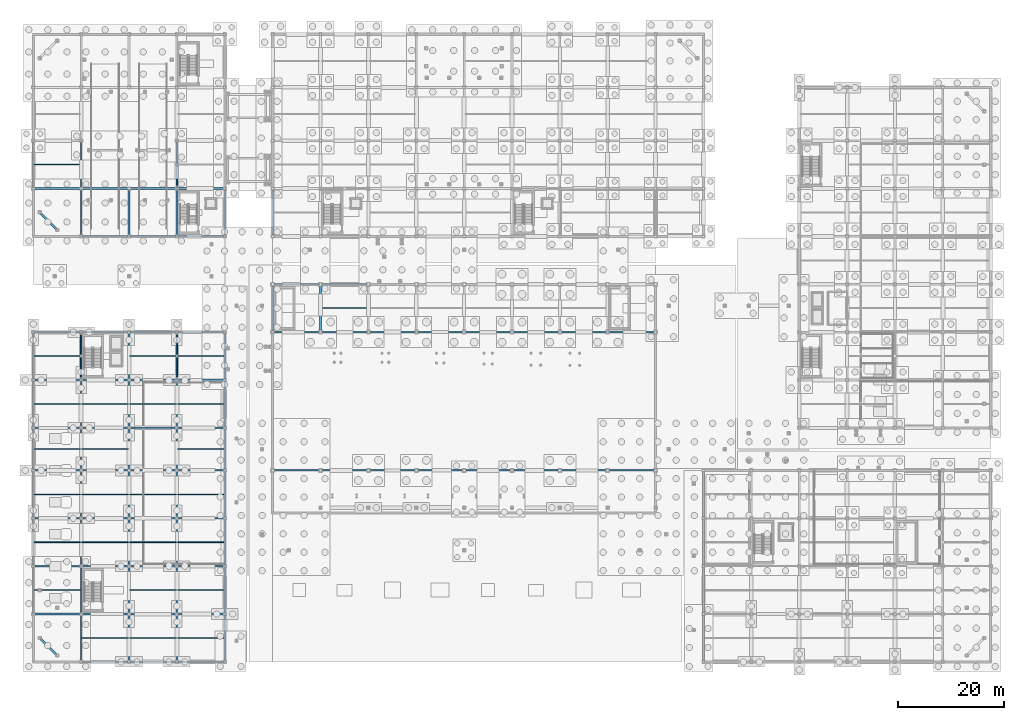
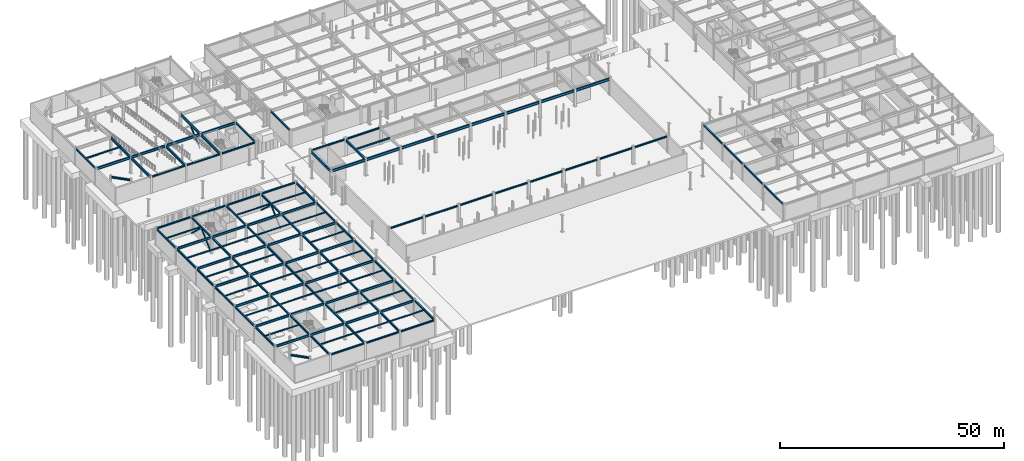
# One storey, part 40 of 74: 132 beams, 5 members.
"""IFC4 building model written with IfcOpenShell, lengths in metres."""

from ifc_helpers import new_model, si_unit, direction, frame, origin, origin_2d, place, context, subcontext, project, spatial, hollow_circle, i_section, extrude, material, material_profile, profile_set, type_object, element, save


model = new_model("IFC4")

# Units and contexts
model_context = context("Model", 3, precision=1e-05, world=origin(), true_north=direction((0.0, 1.0)))
body_context = subcontext(model_context, "Body", "Model", "MODEL_VIEW")
ifc_project = project(units=[si_unit("LENGTHUNIT", "METRE"), si_unit("AREAUNIT", "SQUARE_METRE"), si_unit("VOLUMEUNIT", "CUBIC_METRE"), si_unit("PLANEANGLEUNIT", "RADIAN"), si_unit("MASSUNIT", "GRAM", prefix="KILO")], contexts=[model_context])

# Site, building, storey
site_placement = place(None, origin())
site = spatial("IfcSite", under=ifc_project, at=site_placement, CompositionType="ELEMENT")
building_placement = place(site_placement, origin())
building = spatial("IfcBuilding", under=site, at=building_placement, Name="Suzunagisa Mobility Hub", CompositionType="ELEMENT")
storey_placement = place(building_placement, frame((0.0, 0.0, -4.800048828125)))
storey = spatial("IfcBuildingStorey", under=building, at=storey_placement, Name="B1", CompositionType="ELEMENT", Elevation=-4.800048828125)

# Members
ifc_material_1 = material(Name="Steel SN490B", Category="steel")
ifc_material_profile_1 = material_profile(ifc_material_1, hollow_circle(Radius=0.177734375, WallThickness=0.0126953125, at=origin_2d()), Name="CHS-355.6x12.7")
ifc_profile_set_1 = profile_set([ifc_material_profile_1], Name="Steel SN490B")
member_type = type_object("IfcMemberType", Name="Roof Truss and Brace Member MB-03 CHS-355.6x12.7", PredefinedType="BRACE", material=ifc_profile_set_1)
for number, where, z_axis, x_axis, name in (
    (1, (9.0, 53.2451171875, 0.1201171875), (0.0, 0.735631448084, 0.677381999016), (-1.0, 0.0, 0.0), "B1 Concentric Lateral Brace BR-1"),
    (2, (9.0, 61.7548828125, 0.1201171875), (0.0, -0.735631448084, 0.677381999016), (1.0, 0.0, 0.0), "B1 Concentric Lateral Brace BR-2"),
    (3, (27.0, 53.2451171875, 0.1201171875), (0.0, 0.735631448084, 0.677381999016), (-1.0, 0.0, 0.0), "B1 Concentric Lateral Brace BR-9"),
    (4, (27.0, 61.7548828125, 0.1201171875), (0.0, -0.735631448084, 0.677381999016), (1.0, 0.0, 0.0), "B1 Concentric Lateral Brace BR-10"),
):
    element("IfcMember", number, at=place(storey_placement, frame(where, z_axis=z_axis, x_axis=x_axis)), inside=storey, type_object=member_type, Name=name, PredefinedType="BRACE", context=body_context, shape_type="SweptSolid", body=[
        extrude(hollow_circle(Radius=0.177734375, WallThickness=0.0126953125, at=origin_2d()), origin(), (0.0, 0.0, 1.0), 5.783935546875),
    ])
member_placement = place(storey_placement, frame((27.0, 89.2451171875, 0.1201171875), z_axis=(0.0, 0.755823574775, 0.654775323156), x_axis=(-1.0, 0.0, 0.0)))
element("IfcMember", 5, at=member_placement, inside=storey, type_object=member_type, Name="B1 Concentric Lateral Brace BR-17", PredefinedType="BRACE", context=body_context, shape_type="SweptSolid", body=[
    extrude(hollow_circle(Radius=0.177734375, WallThickness=0.0126953125, at=origin_2d()), origin(), (0.0, 0.0, 1.0), 5.62939453125),
])

# Beams
ifc_material_2 = material(Name="Steel SN400B", Category="steel")
ifc_material_profile_2 = material_profile(ifc_material_2, i_section(OverallWidth=0.199951171875, OverallDepth=0.449951171875, WebThickness=0.009033203125, FlangeThickness=0.013916015625, FilletRadius=0.012939453125, at=origin_2d()), Name="H-450x200x9x14")
ifc_profile_set_2 = profile_set([ifc_material_profile_2], Name="Steel SN400B")
beam_type_1 = type_object("IfcBeamType", Name="Steel Beam BM-05 H-450x200x9x14", PredefinedType="JOIST", material=ifc_profile_set_2)
beam_1_placement = place(storey_placement, frame((54.14990234375, 66.5, 4.295166015625), z_axis=(1.0, 0.0, 0.0), x_axis=(0.0, 1.0, 0.0)))
element("IfcBeam", 6, at=beam_1_placement, inside=storey, type_object=beam_type_1, Name="B1 Composite Floor Joist J-382", PredefinedType="JOIST", context=body_context, shape_type="SweptSolid", body=[
    extrude(i_section(OverallWidth=0.199951171875, OverallDepth=0.449951171875, WebThickness=0.009033203125, FlangeThickness=0.013916015625, FilletRadius=0.012939453125, at=origin_2d()), origin(), (0.0, 0.0, 1.0), 8.7001953125),
])
ifc_material_profile_3 = material_profile(ifc_material_1, i_section(OverallWidth=0.300048828125, OverallDepth=0.488037109375, WebThickness=0.010986328125, FlangeThickness=0.01806640625, FilletRadius=0.012939453125, at=origin_2d()), Name="H-488x300x11x18")
ifc_profile_set_3 = profile_set([ifc_material_profile_3], Name="Steel SN490B")
beam_type_2 = type_object("IfcBeamType", Name="Steel Beam BM-06 H-488x300x11x18", PredefinedType="BEAM", material=ifc_profile_set_3)
for number, where, z_axis, x_axis, name in (
    (7, (0.0, 9.220947265625, 4.296142578125), (0.0, 1.0, 0.0), (-1.0, 0.0, 0.0), "B1 Primary Girder GY-32"),
    (8, (0.0, 18.220947265625, 4.296142578125), (0.0, 1.0, 0.0), (-1.0, 0.0, 0.0), "B1 Primary Girder GY-33"),
    (9, (0.0, 27.220947265625, 4.296142578125), (0.0, 1.0, 0.0), (-1.0, 0.0, 0.0), "B1 Primary Girder GY-34"),
):
    element("IfcBeam", number, at=place(storey_placement, frame(where, z_axis=z_axis, x_axis=x_axis)), inside=storey, type_object=beam_type_2, Name=name, PredefinedType="BEAM", context=body_context, shape_type="SweptSolid", body=[
        extrude(i_section(OverallWidth=0.300048828125, OverallDepth=0.488037109375, WebThickness=0.010986328125, FlangeThickness=0.01806640625, FilletRadius=0.012939453125, at=origin_2d()), origin(), (0.0, 0.0, 1.0), 8.55810546875),
    ])
beam_2_placement = place(storey_placement, frame((0.0, 36.220947265625, 4.296142578125), z_axis=(0.0, 1.0, 0.0), x_axis=(-1.0, 0.0, 0.0)))
element("IfcBeam", 10, at=beam_2_placement, inside=storey, type_object=beam_type_2, Name="B1 Primary Girder GY-35", PredefinedType="BEAM", context=body_context, shape_type="SweptSolid", body=[
    extrude(i_section(OverallWidth=0.300048828125, OverallDepth=0.488037109375, WebThickness=0.010986328125, FlangeThickness=0.01806640625, FilletRadius=0.012939453125, at=origin_2d()), origin(), (0.0, 0.0, 1.0), 7.55810546875),
])
for number, where, z_axis, x_axis, name in (
    (11, (0.0, 44.220947265625, 4.296142578125), (0.0, 1.0, 0.0), (-1.0, 0.0, 0.0), "B1 Primary Girder GY-36"),
    (12, (0.0, 53.220947265625, 4.296142578125), (0.0, 1.0, 0.0), (-1.0, 0.0, 0.0), "B1 Primary Girder GY-37"),
    (13, (9.0, 0.220947265625, 4.296142578125), (0.0, 1.0, 0.0), (-1.0, 0.0, 0.0), "B1 Primary Girder GY-38"),
    (14, (9.0, 9.220947265625, 4.296142578125), (0.0, 1.0, 0.0), (-1.0, 0.0, 0.0), "B1 Primary Girder GY-39"),
    (15, (9.0, 18.220947265625, 4.296142578125), (0.0, 1.0, 0.0), (-1.0, 0.0, 0.0), "B1 Primary Girder GY-40"),
    (16, (9.0, 27.220947265625, 4.296142578125), (0.0, 1.0, 0.0), (-1.0, 0.0, 0.0), "B1 Primary Girder GY-41"),
):
    element("IfcBeam", number, at=place(storey_placement, frame(where, z_axis=z_axis, x_axis=x_axis)), inside=storey, type_object=beam_type_2, Name=name, PredefinedType="BEAM", context=body_context, shape_type="SweptSolid", body=[
        extrude(i_section(OverallWidth=0.300048828125, OverallDepth=0.488037109375, WebThickness=0.010986328125, FlangeThickness=0.01806640625, FilletRadius=0.012939453125, at=origin_2d()), origin(), (0.0, 0.0, 1.0), 8.55810546875),
    ])
beam_3_placement = place(storey_placement, frame((9.0, 36.220947265625, 4.296142578125), z_axis=(0.0, 1.0, 0.0), x_axis=(-1.0, 0.0, 0.0)))
element("IfcBeam", 17, at=beam_3_placement, inside=storey, type_object=beam_type_2, Name="B1 Primary Girder GY-42", PredefinedType="BEAM", context=body_context, shape_type="SweptSolid", body=[
    extrude(i_section(OverallWidth=0.300048828125, OverallDepth=0.488037109375, WebThickness=0.010986328125, FlangeThickness=0.01806640625, FilletRadius=0.012939453125, at=origin_2d()), origin(), (0.0, 0.0, 1.0), 7.55810546875),
])
for number, where, z_axis, x_axis, name in (
    (18, (9.0, 44.220947265625, 4.296142578125), (0.0, 1.0, 0.0), (-1.0, 0.0, 0.0), "B1 Primary Girder GY-43"),
    (19, (9.0, 53.220947265625, 4.296142578125), (0.0, 1.0, 0.0), (-1.0, 0.0, 0.0), "B1 Primary Girder GY-44"),
    (20, (18.0, 0.220947265625, 4.296142578125), (0.0, 1.0, 0.0), (-1.0, 0.0, 0.0), "B1 Primary Girder GY-45"),
    (21, (18.0, 9.220947265625, 4.296142578125), (0.0, 1.0, 0.0), (-1.0, 0.0, 0.0), "B1 Primary Girder GY-46"),
    (22, (18.0, 18.220947265625, 4.296142578125), (0.0, 1.0, 0.0), (-1.0, 0.0, 0.0), "B1 Primary Girder GY-47"),
    (23, (18.0, 27.220947265625, 4.296142578125), (0.0, 1.0, 0.0), (-1.0, 0.0, 0.0), "B1 Primary Girder GY-48"),
):
    element("IfcBeam", number, at=place(storey_placement, frame(where, z_axis=z_axis, x_axis=x_axis)), inside=storey, type_object=beam_type_2, Name=name, PredefinedType="BEAM", context=body_context, shape_type="SweptSolid", body=[
        extrude(i_section(OverallWidth=0.300048828125, OverallDepth=0.488037109375, WebThickness=0.010986328125, FlangeThickness=0.01806640625, FilletRadius=0.012939453125, at=origin_2d()), origin(), (0.0, 0.0, 1.0), 8.55810546875),
    ])
beam_4_placement = place(storey_placement, frame((18.0, 36.220947265625, 4.296142578125), z_axis=(0.0, 1.0, 0.0), x_axis=(-1.0, 0.0, 0.0)))
element("IfcBeam", 24, at=beam_4_placement, inside=storey, type_object=beam_type_2, Name="B1 Primary Girder GY-49", PredefinedType="BEAM", context=body_context, shape_type="SweptSolid", body=[
    extrude(i_section(OverallWidth=0.300048828125, OverallDepth=0.488037109375, WebThickness=0.010986328125, FlangeThickness=0.01806640625, FilletRadius=0.012939453125, at=origin_2d()), origin(), (0.0, 0.0, 1.0), 7.55810546875),
])
for number, where, z_axis, x_axis, name in (
    (25, (18.0, 44.220947265625, 4.296142578125), (0.0, 1.0, 0.0), (-1.0, 0.0, 0.0), "B1 Primary Girder GY-50"),
    (26, (18.0, 53.220947265625, 4.296142578125), (0.0, 1.0, 0.0), (-1.0, 0.0, 0.0), "B1 Primary Girder GY-51"),
    (27, (27.0, 0.220947265625, 4.296142578125), (0.0, 1.0, 0.0), (-1.0, 0.0, 0.0), "B1 Primary Girder GY-52"),
    (28, (27.0, 9.220947265625, 4.296142578125), (0.0, 1.0, 0.0), (-1.0, 0.0, 0.0), "B1 Primary Girder GY-53"),
    (29, (27.0, 18.220947265625, 4.296142578125), (0.0, 1.0, 0.0), (-1.0, 0.0, 0.0), "B1 Primary Girder GY-54"),
    (30, (27.0, 27.220947265625, 4.296142578125), (0.0, 1.0, 0.0), (-1.0, 0.0, 0.0), "B1 Primary Girder GY-55"),
):
    element("IfcBeam", number, at=place(storey_placement, frame(where, z_axis=z_axis, x_axis=x_axis)), inside=storey, type_object=beam_type_2, Name=name, PredefinedType="BEAM", context=body_context, shape_type="SweptSolid", body=[
        extrude(i_section(OverallWidth=0.300048828125, OverallDepth=0.488037109375, WebThickness=0.010986328125, FlangeThickness=0.01806640625, FilletRadius=0.012939453125, at=origin_2d()), origin(), (0.0, 0.0, 1.0), 8.55810546875),
    ])
beam_5_placement = place(storey_placement, frame((27.0, 36.220947265625, 4.296142578125), z_axis=(0.0, 1.0, 0.0), x_axis=(-1.0, 0.0, 0.0)))
element("IfcBeam", 31, at=beam_5_placement, inside=storey, type_object=beam_type_2, Name="B1 Primary Girder GY-56", PredefinedType="BEAM", context=body_context, shape_type="SweptSolid", body=[
    extrude(i_section(OverallWidth=0.300048828125, OverallDepth=0.488037109375, WebThickness=0.010986328125, FlangeThickness=0.01806640625, FilletRadius=0.012939453125, at=origin_2d()), origin(), (0.0, 0.0, 1.0), 7.55810546875),
])
for number, where, z_axis, x_axis, name in (
    (32, (27.0, 44.220947265625, 4.296142578125), (0.0, 1.0, 0.0), (-1.0, 0.0, 0.0), "B1 Primary Girder GY-57"),
    (33, (27.0, 53.220947265625, 4.296142578125), (0.0, 1.0, 0.0), (-1.0, 0.0, 0.0), "B1 Primary Girder GY-58"),
    (34, (36.0, 0.220947265625, 4.296142578125), (0.0, 1.0, 0.0), (-1.0, 0.0, 0.0), "B1 Primary Girder GY-59"),
    (35, (36.0, 9.220947265625, 4.296142578125), (0.0, 1.0, 0.0), (-1.0, 0.0, 0.0), "B1 Primary Girder GY-60"),
    (36, (36.0, 18.220947265625, 4.296142578125), (0.0, 1.0, 0.0), (-1.0, 0.0, 0.0), "B1 Primary Girder GY-61"),
    (37, (36.0, 27.220947265625, 4.296142578125), (0.0, 1.0, 0.0), (-1.0, 0.0, 0.0), "B1 Primary Girder GY-62"),
):
    element("IfcBeam", number, at=place(storey_placement, frame(where, z_axis=z_axis, x_axis=x_axis)), inside=storey, type_object=beam_type_2, Name=name, PredefinedType="BEAM", context=body_context, shape_type="SweptSolid", body=[
        extrude(i_section(OverallWidth=0.300048828125, OverallDepth=0.488037109375, WebThickness=0.010986328125, FlangeThickness=0.01806640625, FilletRadius=0.012939453125, at=origin_2d()), origin(), (0.0, 0.0, 1.0), 8.55810546875),
    ])
beam_6_placement = place(storey_placement, frame((36.0, 36.220947265625, 4.296142578125), z_axis=(0.0, 1.0, 0.0), x_axis=(-1.0, 0.0, 0.0)))
element("IfcBeam", 38, at=beam_6_placement, inside=storey, type_object=beam_type_2, Name="B1 Primary Girder GY-63", PredefinedType="BEAM", context=body_context, shape_type="SweptSolid", body=[
    extrude(i_section(OverallWidth=0.300048828125, OverallDepth=0.488037109375, WebThickness=0.010986328125, FlangeThickness=0.01806640625, FilletRadius=0.012939453125, at=origin_2d()), origin(), (0.0, 0.0, 1.0), 7.55810546875),
])
for number, where, z_axis, x_axis, name in (
    (39, (36.0, 44.220947265625, 4.296142578125), (0.0, 1.0, 0.0), (-1.0, 0.0, 0.0), "B1 Primary Girder GY-64"),
    (40, (36.0, 53.220947265625, 4.296142578125), (0.0, 1.0, 0.0), (-1.0, 0.0, 0.0), "B1 Primary Girder GY-65"),
):
    element("IfcBeam", number, at=place(storey_placement, frame(where, z_axis=z_axis, x_axis=x_axis)), inside=storey, type_object=beam_type_2, Name=name, PredefinedType="BEAM", context=body_context, shape_type="SweptSolid", body=[
        extrude(i_section(OverallWidth=0.300048828125, OverallDepth=0.488037109375, WebThickness=0.010986328125, FlangeThickness=0.01806640625, FilletRadius=0.012939453125, at=origin_2d()), origin(), (0.0, 0.0, 1.0), 8.55810546875),
    ])
ifc_material_profile_4 = material_profile(ifc_material_1, i_section(OverallWidth=0.300048828125, OverallDepth=0.64990234375, WebThickness=0.012939453125, FlangeThickness=0.02197265625, FilletRadius=0.01611328125, at=origin_2d()), Name="H-650x300x13x22")
ifc_profile_set_4 = profile_set([ifc_material_profile_4], Name="Steel SN490B")
beam_type_3 = type_object("IfcBeamType", Name="Steel Beam BM-10 H-650x300x13x22", PredefinedType="BEAM", material=ifc_profile_set_4)
for number, where, z_axis, x_axis, name in (
    (41, (45.0, 62.24609375, 4.195068359375), (0.0, 1.0, 0.0), (-1.0, 0.0, 0.0), "B1 Primary Girder GY-373"),
    (42, (54.0, 62.24609375, 4.195068359375), (0.0, 1.0, 0.0), (-1.0, 0.0, 0.0), "B1 Primary Girder GY-374"),
):
    element("IfcBeam", number, at=place(storey_placement, frame(where, z_axis=z_axis, x_axis=x_axis)), inside=storey, type_object=beam_type_3, Name=name, PredefinedType="BEAM", context=body_context, shape_type="SweptSolid", body=[
        extrude(i_section(OverallWidth=0.300048828125, OverallDepth=0.64990234375, WebThickness=0.012939453125, FlangeThickness=0.02197265625, FilletRadius=0.01611328125, at=origin_2d()), origin(), (0.0, 0.0, 1.0), 8.4580078125),
    ])
for number, where, z_axis, x_axis, name in (
    (43, (0.220947265625, 89.0, 4.195068359375), (1.0, 0.0, 0.0), (0.0, 1.0, 0.0), "B1 Primary Girder GX-416"),
    (44, (9.220947265625, 89.0, 4.195068359375), (1.0, 0.0, 0.0), (0.0, 1.0, 0.0), "B1 Primary Girder GX-417"),
    (45, (18.220947265625, 89.0, 4.195068359375), (1.0, 0.0, 0.0), (0.0, 1.0, 0.0), "B1 Primary Girder GX-418"),
    (46, (27.220947265625, 89.0, 4.195068359375), (1.0, 0.0, 0.0), (0.0, 1.0, 0.0), "B1 Primary Girder GX-419"),
):
    element("IfcBeam", number, at=place(storey_placement, frame(where, z_axis=z_axis, x_axis=x_axis)), inside=storey, type_object=beam_type_3, Name=name, PredefinedType="BEAM", context=body_context, shape_type="SweptSolid", body=[
        extrude(i_section(OverallWidth=0.300048828125, OverallDepth=0.64990234375, WebThickness=0.012939453125, FlangeThickness=0.02197265625, FilletRadius=0.01611328125, at=origin_2d()), origin(), (0.0, 0.0, 1.0), 8.55810546875),
    ])
ifc_material_profile_5 = material_profile(ifc_material_1, i_section(OverallWidth=0.300048828125, OverallDepth=0.699951171875, WebThickness=0.012939453125, FlangeThickness=0.02392578125, FilletRadius=0.01806640625, at=origin_2d()), Name="H-700x300x13x24")
ifc_profile_set_5 = profile_set([ifc_material_profile_5], Name="Steel SN490B")
beam_type_4 = type_object("IfcBeamType", Name="Steel Beam BM-11 H-700x300x13x24", PredefinedType="BEAM", material=ifc_profile_set_5)
for number, where, z_axis, x_axis, name in (
    (47, (45.24609375, 62.0, 4.170166015625), (1.0, 0.0, 0.0), (0.0, 1.0, 0.0), "B1 Primary Girder GX-357"),
    (48, (54.24609375, 62.0, 4.170166015625), (1.0, 0.0, 0.0), (0.0, 1.0, 0.0), "B1 Primary Girder GX-358"),
    (49, (63.24609375, 62.0, 4.170166015625), (1.0, 0.0, 0.0), (0.0, 1.0, 0.0), "B1 Primary Girder GX-359"),
    (50, (72.24609375, 62.0, 4.170166015625), (1.0, 0.0, 0.0), (0.0, 1.0, 0.0), "B1 Primary Girder GX-360"),
    (51, (81.24609375, 62.0, 4.170166015625), (1.0, 0.0, 0.0), (0.0, 1.0, 0.0), "B1 Primary Girder GX-361"),
    (52, (90.24609375, 62.0, 4.170166015625), (1.0, 0.0, 0.0), (0.0, 1.0, 0.0), "B1 Primary Girder GX-362"),
    (53, (99.24609375, 62.0, 4.170166015625), (1.0, 0.0, 0.0), (0.0, 1.0, 0.0), "B1 Primary Girder GX-363"),
    (54, (108.24609375, 62.0, 4.170166015625), (1.0, 0.0, 0.0), (0.0, 1.0, 0.0), "B1 Primary Girder GX-364"),
):
    element("IfcBeam", number, at=place(storey_placement, frame(where, z_axis=z_axis, x_axis=x_axis)), inside=storey, type_object=beam_type_4, Name=name, PredefinedType="BEAM", context=body_context, shape_type="SweptSolid", body=[
        extrude(i_section(OverallWidth=0.300048828125, OverallDepth=0.699951171875, WebThickness=0.012939453125, FlangeThickness=0.02392578125, FilletRadius=0.01806640625, at=origin_2d()), origin(), (0.0, 0.0, 1.0), 8.5078125),
    ])
for number, where, z_axis, x_axis, name in (
    (55, (9.0, 80.220947265625, 4.170166015625), (0.0, 1.0, 0.0), (-1.0, 0.0, 0.0), "B1 Primary Girder GY-431"),
    (56, (9.0, 89.220947265625, 4.170166015625), (0.0, 1.0, 0.0), (-1.0, 0.0, 0.0), "B1 Primary Girder GY-432"),
    (57, (18.0, 80.220947265625, 4.170166015625), (0.0, 1.0, 0.0), (-1.0, 0.0, 0.0), "B1 Primary Girder GY-435"),
    (58, (27.0, 80.220947265625, 4.170166015625), (0.0, 1.0, 0.0), (-1.0, 0.0, 0.0), "B1 Primary Girder GY-437"),
    (59, (27.0, 89.220947265625, 4.170166015625), (0.0, 1.0, 0.0), (-1.0, 0.0, 0.0), "B1 Primary Girder GY-438"),
):
    element("IfcBeam", number, at=place(storey_placement, frame(where, z_axis=z_axis, x_axis=x_axis)), inside=storey, type_object=beam_type_4, Name=name, PredefinedType="BEAM", context=body_context, shape_type="SweptSolid", body=[
        extrude(i_section(OverallWidth=0.300048828125, OverallDepth=0.699951171875, WebThickness=0.012939453125, FlangeThickness=0.02392578125, FilletRadius=0.01806640625, at=origin_2d()), origin(), (0.0, 0.0, 1.0), 8.55810546875),
    ])
ifc_material_profile_6 = material_profile(ifc_material_1, i_section(OverallWidth=0.39990234375, OverallDepth=0.39990234375, WebThickness=0.012939453125, FlangeThickness=0.02099609375, FilletRadius=0.01611328125, at=origin_2d()), Name="H-400x400x13x21")
ifc_profile_set_6 = profile_set([ifc_material_profile_6], Name="Steel SN490B")
beam_type_5 = type_object("IfcBeamType", Name="Steel Beam BM-12 H-400x400x13x21", PredefinedType="SPANDREL", material=ifc_profile_set_6)
for number, where, z_axis, x_axis, name in (
    (60, (1.367431640625, 4.33837890625, 4.340087890625), (0.707106781187, -0.707106781187, 0.0), (0.707106781187, 0.707106781187, 0.0), "B1 Streamline Prow Spandrel 66"),
    (61, (1.367431640625, 84.33837890625, 4.320068359375), (0.707106781187, -0.707106781187, 0.0), (0.707106781187, 0.707106781187, 0.0), "B1 Streamline Prow Spandrel 445"),
):
    element("IfcBeam", number, at=place(storey_placement, frame(where, z_axis=z_axis, x_axis=x_axis)), inside=storey, type_object=beam_type_5, Name=name, PredefinedType="SPANDREL", context=body_context, shape_type="SweptSolid", body=[
        extrude(i_section(OverallWidth=0.39990234375, OverallDepth=0.39990234375, WebThickness=0.012939453125, FlangeThickness=0.02099609375, FilletRadius=0.01611328125, at=origin_2d()), origin(), (0.0, 0.0, 1.0), 4.20166015625),
    ])
ifc_material_profile_7 = material_profile(ifc_material_1, i_section(OverallWidth=0.300048828125, OverallDepth=0.389892578125, WebThickness=0.010009765625, FlangeThickness=0.01611328125, FilletRadius=0.012939453125, at=origin_2d()), Name="H-390x300x10x16")
ifc_profile_set_7 = profile_set([ifc_material_profile_7], Name="Steel SN490B")
beam_type_6 = type_object("IfcBeamType", Name="Steel Beam BM-13 H-390x300x10x16", PredefinedType="SPANDREL", material=ifc_profile_set_7)
for number, where, z_axis, x_axis, name in (
    (62, (9.220947265625, 0.0, 4.344970703125), (1.0, 0.0, 0.0), (0.0, 1.0, 0.0), "B1 Primary Girder GX-1"),
    (63, (18.220947265625, 0.0, 4.344970703125), (1.0, 0.0, 0.0), (0.0, 1.0, 0.0), "B1 Primary Girder GX-2"),
    (64, (27.220947265625, 0.0, 4.344970703125), (1.0, 0.0, 0.0), (0.0, 1.0, 0.0), "B1 Primary Girder GX-3"),
    (65, (0.220947265625, 62.0, 4.344970703125), (1.0, 0.0, 0.0), (0.0, 1.0, 0.0), "B1 Primary Girder GX-28"),
    (66, (9.220947265625, 62.0, 4.344970703125), (1.0, 0.0, 0.0), (0.0, 1.0, 0.0), "B1 Primary Girder GX-29"),
    (67, (18.220947265625, 62.0, 4.344970703125), (1.0, 0.0, 0.0), (0.0, 1.0, 0.0), "B1 Primary Girder GX-30"),
    (68, (27.220947265625, 62.0, 4.344970703125), (1.0, 0.0, 0.0), (0.0, 1.0, 0.0), "B1 Primary Girder GX-31"),
):
    element("IfcBeam", number, at=place(storey_placement, frame(where, z_axis=z_axis, x_axis=x_axis)), inside=storey, type_object=beam_type_6, Name=name, PredefinedType="SPANDREL", context=body_context, shape_type="SweptSolid", body=[
        extrude(i_section(OverallWidth=0.300048828125, OverallDepth=0.389892578125, WebThickness=0.010009765625, FlangeThickness=0.01611328125, FilletRadius=0.012939453125, at=origin_2d()), origin(), (0.0, 0.0, 1.0), 8.55810546875),
    ])
for number, where, z_axis, x_axis, name in (
    (69, (45.2958984375, 36.0, 4.324951171875), (1.0, 0.0, 0.0), (0.0, 1.0, 0.0), "B1 Primary Girder GX-349"),
    (70, (54.2958984375, 36.0, 4.324951171875), (1.0, 0.0, 0.0), (0.0, 1.0, 0.0), "B1 Primary Girder GX-350"),
    (71, (63.2958984375, 36.0, 4.324951171875), (1.0, 0.0, 0.0), (0.0, 1.0, 0.0), "B1 Primary Girder GX-351"),
    (72, (72.2958984375, 36.0, 4.324951171875), (1.0, 0.0, 0.0), (0.0, 1.0, 0.0), "B1 Primary Girder GX-352"),
    (73, (81.2958984375, 36.0, 4.324951171875), (1.0, 0.0, 0.0), (0.0, 1.0, 0.0), "B1 Primary Girder GX-353"),
    (74, (90.2958984375, 36.0, 4.324951171875), (1.0, 0.0, 0.0), (0.0, 1.0, 0.0), "B1 Primary Girder GX-354"),
    (75, (99.2958984375, 36.0, 4.324951171875), (1.0, 0.0, 0.0), (0.0, 1.0, 0.0), "B1 Primary Girder GX-355"),
    (76, (108.2958984375, 36.0, 4.324951171875), (1.0, 0.0, 0.0), (0.0, 1.0, 0.0), "B1 Primary Girder GX-356"),
    (77, (45.2958984375, 71.0, 4.324951171875), (1.0, 0.0, 0.0), (0.0, 1.0, 0.0), "B1 Primary Girder GX-365"),
    (78, (54.2958984375, 71.0, 4.324951171875), (1.0, 0.0, 0.0), (0.0, 1.0, 0.0), "B1 Primary Girder GX-366"),
):
    element("IfcBeam", number, at=place(storey_placement, frame(where, z_axis=z_axis, x_axis=x_axis)), inside=storey, type_object=beam_type_6, Name=name, PredefinedType="SPANDREL", context=body_context, shape_type="SweptSolid", body=[
        extrude(i_section(OverallWidth=0.300048828125, OverallDepth=0.389892578125, WebThickness=0.010009765625, FlangeThickness=0.01611328125, FilletRadius=0.012939453125, at=origin_2d()), origin(), (0.0, 0.0, 1.0), 8.408203125),
    ])
for number, where, z_axis, x_axis, name in (
    (79, (9.220947265625, 80.0, 4.324951171875), (1.0, 0.0, 0.0), (0.0, 1.0, 0.0), "B1 Primary Girder GX-413"),
    (80, (18.220947265625, 80.0, 4.324951171875), (1.0, 0.0, 0.0), (0.0, 1.0, 0.0), "B1 Primary Girder GX-414"),
    (81, (27.220947265625, 80.0, 4.324951171875), (1.0, 0.0, 0.0), (0.0, 1.0, 0.0), "B1 Primary Girder GX-415"),
    (82, (0.0, 89.220947265625, 4.324951171875), (0.0, 1.0, 0.0), (-1.0, 0.0, 0.0), "B1 Primary Girder GY-429"),
    (83, (36.0, 80.220947265625, 4.324951171875), (0.0, 1.0, 0.0), (-1.0, 0.0, 0.0), "B1 Primary Girder GY-441"),
):
    element("IfcBeam", number, at=place(storey_placement, frame(where, z_axis=z_axis, x_axis=x_axis)), inside=storey, type_object=beam_type_6, Name=name, PredefinedType="SPANDREL", context=body_context, shape_type="SweptSolid", body=[
        extrude(i_section(OverallWidth=0.300048828125, OverallDepth=0.389892578125, WebThickness=0.010009765625, FlangeThickness=0.01611328125, FilletRadius=0.012939453125, at=origin_2d()), origin(), (0.0, 0.0, 1.0), 8.55810546875),
    ])
beam_7_placement = place(storey_placement, frame((45.0, 80.24609375, 4.324951171875), z_axis=(0.0, 1.0, 0.0), x_axis=(-1.0, 0.0, 0.0)))
element("IfcBeam", 84, at=beam_7_placement, inside=storey, type_object=beam_type_6, Name="B1 Primary Girder GY-632", PredefinedType="SPANDREL", context=body_context, shape_type="SweptSolid", body=[
    extrude(i_section(OverallWidth=0.300048828125, OverallDepth=0.389892578125, WebThickness=0.010009765625, FlangeThickness=0.01611328125, FilletRadius=0.012939453125, at=origin_2d()), origin(), (0.0, 0.0, 1.0), 8.5078125),
])
for number, where, z_axis, x_axis, name in (
    (85, (126.0, 0.220947265625, 4.324951171875), (0.0, 1.0, 0.0), (-1.0, 0.0, 0.0), "B1 Primary Girder GY-1343"),
    (86, (126.0, 9.220947265625, 4.324951171875), (0.0, 1.0, 0.0), (-1.0, 0.0, 0.0), "B1 Primary Girder GY-1344"),
    (87, (126.0, 18.220947265625, 4.324951171875), (0.0, 1.0, 0.0), (-1.0, 0.0, 0.0), "B1 Primary Girder GY-1345"),
    (88, (126.0, 27.220947265625, 4.324951171875), (0.0, 1.0, 0.0), (-1.0, 0.0, 0.0), "B1 Primary Girder GY-1346"),
):
    element("IfcBeam", number, at=place(storey_placement, frame(where, z_axis=z_axis, x_axis=x_axis)), inside=storey, type_object=beam_type_6, Name=name, PredefinedType="SPANDREL", context=body_context, shape_type="SweptSolid", body=[
        extrude(i_section(OverallWidth=0.300048828125, OverallDepth=0.389892578125, WebThickness=0.010009765625, FlangeThickness=0.01611328125, FilletRadius=0.012939453125, at=origin_2d()), origin(), (0.0, 0.0, 1.0), 8.55810546875),
    ])
ifc_material_profile_8 = material_profile(ifc_material_1, i_section(OverallWidth=0.300048828125, OverallDepth=0.587890625, WebThickness=0.011962890625, FlangeThickness=0.02001953125, FilletRadius=0.012939453125, at=origin_2d()), Name="H-588x300x12x20")
ifc_profile_set_8 = profile_set([ifc_material_profile_8], Name="Steel SN490B")
beam_type_7 = type_object("IfcBeamType", Name="Steel Beam BM-16 H-588x300x12x20", PredefinedType="BEAM", material=ifc_profile_set_8)
for number, where, z_axis, x_axis, name in (
    (89, (0.220947265625, 9.0, 4.24609375), (1.0, 0.0, 0.0), (0.0, 1.0, 0.0), "B1 Primary Girder GX-4"),
    (90, (9.220947265625, 9.0, 4.24609375), (1.0, 0.0, 0.0), (0.0, 1.0, 0.0), "B1 Primary Girder GX-5"),
    (91, (18.220947265625, 9.0, 4.24609375), (1.0, 0.0, 0.0), (0.0, 1.0, 0.0), "B1 Primary Girder GX-6"),
    (92, (27.220947265625, 9.0, 4.24609375), (1.0, 0.0, 0.0), (0.0, 1.0, 0.0), "B1 Primary Girder GX-7"),
    (93, (0.220947265625, 18.0, 4.24609375), (1.0, 0.0, 0.0), (0.0, 1.0, 0.0), "B1 Primary Girder GX-8"),
    (94, (9.220947265625, 18.0, 4.24609375), (1.0, 0.0, 0.0), (0.0, 1.0, 0.0), "B1 Primary Girder GX-9"),
    (95, (18.220947265625, 18.0, 4.24609375), (1.0, 0.0, 0.0), (0.0, 1.0, 0.0), "B1 Primary Girder GX-10"),
    (96, (27.220947265625, 18.0, 4.24609375), (1.0, 0.0, 0.0), (0.0, 1.0, 0.0), "B1 Primary Girder GX-11"),
    (97, (0.220947265625, 27.0, 4.24609375), (1.0, 0.0, 0.0), (0.0, 1.0, 0.0), "B1 Primary Girder GX-12"),
    (98, (9.220947265625, 27.0, 4.24609375), (1.0, 0.0, 0.0), (0.0, 1.0, 0.0), "B1 Primary Girder GX-13"),
    (99, (18.220947265625, 27.0, 4.24609375), (1.0, 0.0, 0.0), (0.0, 1.0, 0.0), "B1 Primary Girder GX-14"),
    (100, (27.220947265625, 27.0, 4.24609375), (1.0, 0.0, 0.0), (0.0, 1.0, 0.0), "B1 Primary Girder GX-15"),
    (101, (0.220947265625, 36.0, 4.24609375), (1.0, 0.0, 0.0), (0.0, 1.0, 0.0), "B1 Primary Girder GX-16"),
    (102, (9.220947265625, 36.0, 4.24609375), (1.0, 0.0, 0.0), (0.0, 1.0, 0.0), "B1 Primary Girder GX-17"),
    (103, (18.220947265625, 36.0, 4.24609375), (1.0, 0.0, 0.0), (0.0, 1.0, 0.0), "B1 Primary Girder GX-18"),
    (104, (27.220947265625, 36.0, 4.24609375), (1.0, 0.0, 0.0), (0.0, 1.0, 0.0), "B1 Primary Girder GX-19"),
    (105, (0.220947265625, 44.0, 4.24609375), (1.0, 0.0, 0.0), (0.0, 1.0, 0.0), "B1 Primary Girder GX-20"),
    (106, (9.220947265625, 44.0, 4.24609375), (1.0, 0.0, 0.0), (0.0, 1.0, 0.0), "B1 Primary Girder GX-21"),
    (107, (18.220947265625, 44.0, 4.24609375), (1.0, 0.0, 0.0), (0.0, 1.0, 0.0), "B1 Primary Girder GX-22"),
    (108, (27.220947265625, 44.0, 4.24609375), (1.0, 0.0, 0.0), (0.0, 1.0, 0.0), "B1 Primary Girder GX-23"),
    (109, (0.220947265625, 53.0, 4.24609375), (1.0, 0.0, 0.0), (0.0, 1.0, 0.0), "B1 Primary Girder GX-24"),
    (110, (9.220947265625, 53.0, 4.24609375), (1.0, 0.0, 0.0), (0.0, 1.0, 0.0), "B1 Primary Girder GX-25"),
    (111, (18.220947265625, 53.0, 4.24609375), (1.0, 0.0, 0.0), (0.0, 1.0, 0.0), "B1 Primary Girder GX-26"),
    (112, (27.220947265625, 53.0, 4.24609375), (1.0, 0.0, 0.0), (0.0, 1.0, 0.0), "B1 Primary Girder GX-27"),
):
    element("IfcBeam", number, at=place(storey_placement, frame(where, z_axis=z_axis, x_axis=x_axis)), inside=storey, type_object=beam_type_7, Name=name, PredefinedType="BEAM", context=body_context, shape_type="SweptSolid", body=[
        extrude(i_section(OverallWidth=0.300048828125, OverallDepth=0.587890625, WebThickness=0.011962890625, FlangeThickness=0.02001953125, FilletRadius=0.012939453125, at=origin_2d()), origin(), (0.0, 0.0, 1.0), 8.55810546875),
    ])
ifc_material_profile_9 = material_profile(ifc_material_2, i_section(OverallWidth=0.125, OverallDepth=0.25, WebThickness=0.006103515625, FlangeThickness=0.009033203125, FilletRadius=0.008056640625, at=origin_2d()), Name="H-250x125x6x9")
ifc_profile_set_9 = profile_set([ifc_material_profile_9], Name="Steel SN400B")
beam_type_8 = type_object("IfcBeamType", Name="Steel Beam BM-21 H-250x125x6x9", PredefinedType="JOIST", material=ifc_profile_set_9)
for number, where, z_axis, x_axis, name in (
    (113, (0.14990234375, 13.5, 4.4150390625), (1.0, 0.0, 0.0), (0.0, 1.0, 0.0), "B1 Composite Floor Joist J-67"),
    (114, (0.14990234375, 22.5, 4.4150390625), (1.0, 0.0, 0.0), (0.0, 1.0, 0.0), "B1 Composite Floor Joist J-68"),
    (115, (0.14990234375, 31.5, 4.4150390625), (1.0, 0.0, 0.0), (0.0, 1.0, 0.0), "B1 Composite Floor Joist J-69"),
    (116, (0.14990234375, 40.0, 4.4150390625), (1.0, 0.0, 0.0), (0.0, 1.0, 0.0), "B1 Composite Floor Joist J-70"),
    (117, (0.14990234375, 48.5, 4.4150390625), (1.0, 0.0, 0.0), (0.0, 1.0, 0.0), "B1 Composite Floor Joist J-71"),
    (118, (0.14990234375, 57.5, 4.4150390625), (1.0, 0.0, 0.0), (0.0, 1.0, 0.0), "B1 Composite Floor Joist J-72"),
    (119, (9.14990234375, 4.5, 4.4150390625), (1.0, 0.0, 0.0), (0.0, 1.0, 0.0), "B1 Composite Floor Joist J-73"),
    (120, (9.14990234375, 22.5, 4.4150390625), (1.0, 0.0, 0.0), (0.0, 1.0, 0.0), "B1 Composite Floor Joist J-74"),
    (121, (9.14990234375, 31.5, 4.4150390625), (1.0, 0.0, 0.0), (0.0, 1.0, 0.0), "B1 Composite Floor Joist J-75"),
    (122, (9.14990234375, 40.0, 4.4150390625), (1.0, 0.0, 0.0), (0.0, 1.0, 0.0), "B1 Composite Floor Joist J-76"),
    (123, (9.14990234375, 48.5, 4.4150390625), (1.0, 0.0, 0.0), (0.0, 1.0, 0.0), "B1 Composite Floor Joist J-77"),
    (124, (18.14990234375, 4.5, 4.4150390625), (1.0, 0.0, 0.0), (0.0, 1.0, 0.0), "B1 Composite Floor Joist J-78"),
    (125, (18.14990234375, 13.5, 4.4150390625), (1.0, 0.0, 0.0), (0.0, 1.0, 0.0), "B1 Composite Floor Joist J-79"),
    (126, (18.14990234375, 22.5, 4.4150390625), (1.0, 0.0, 0.0), (0.0, 1.0, 0.0), "B1 Composite Floor Joist J-80"),
    (127, (18.14990234375, 31.5, 4.4150390625), (1.0, 0.0, 0.0), (0.0, 1.0, 0.0), "B1 Composite Floor Joist J-81"),
    (128, (18.14990234375, 48.5, 4.4150390625), (1.0, 0.0, 0.0), (0.0, 1.0, 0.0), "B1 Composite Floor Joist J-82"),
    (129, (18.14990234375, 57.5, 4.4150390625), (1.0, 0.0, 0.0), (0.0, 1.0, 0.0), "B1 Composite Floor Joist J-83"),
    (130, (27.14990234375, 4.5, 4.4150390625), (1.0, 0.0, 0.0), (0.0, 1.0, 0.0), "B1 Composite Floor Joist J-84"),
    (131, (27.14990234375, 13.5, 4.4150390625), (1.0, 0.0, 0.0), (0.0, 1.0, 0.0), "B1 Composite Floor Joist J-85"),
    (132, (27.14990234375, 22.5, 4.4150390625), (1.0, 0.0, 0.0), (0.0, 1.0, 0.0), "B1 Composite Floor Joist J-86"),
    (133, (27.14990234375, 31.5, 4.4150390625), (1.0, 0.0, 0.0), (0.0, 1.0, 0.0), "B1 Composite Floor Joist J-87"),
    (134, (27.14990234375, 40.0, 4.4150390625), (1.0, 0.0, 0.0), (0.0, 1.0, 0.0), "B1 Composite Floor Joist J-88"),
    (135, (27.14990234375, 48.5, 4.4150390625), (1.0, 0.0, 0.0), (0.0, 1.0, 0.0), "B1 Composite Floor Joist J-89"),
    (136, (27.14990234375, 57.5, 4.4150390625), (1.0, 0.0, 0.0), (0.0, 1.0, 0.0), "B1 Composite Floor Joist J-90"),
):
    element("IfcBeam", number, at=place(storey_placement, frame(where, z_axis=z_axis, x_axis=x_axis)), inside=storey, type_object=beam_type_8, Name=name, PredefinedType="JOIST", context=body_context, shape_type="SweptSolid", body=[
        extrude(i_section(OverallWidth=0.125, OverallDepth=0.25, WebThickness=0.006103515625, FlangeThickness=0.009033203125, FilletRadius=0.008056640625, at=origin_2d()), origin(), (0.0, 0.0, 1.0), 8.7001953125),
    ])
ifc_material_profile_10 = material_profile(ifc_material_2, i_section(OverallWidth=0.14990234375, OverallDepth=0.300048828125, WebThickness=0.006591796875, FlangeThickness=0.009033203125, FilletRadius=0.008056640625, at=origin_2d()), Name="H-300x150x6.5x9")
ifc_profile_set_10 = profile_set([ifc_material_profile_10], Name="Steel SN400B")
beam_type_9 = type_object("IfcBeamType", Name="Steel Beam BM-24 H-300x150x6.5x9", PredefinedType="JOIST", material=ifc_profile_set_10)
beam_8_placement = place(storey_placement, frame((0.14990234375, 93.5, 4.3701171875), z_axis=(1.0, 0.0, 0.0), x_axis=(0.0, 1.0, 0.0)))
element("IfcBeam", 137, at=beam_8_placement, inside=storey, type_object=beam_type_9, Name="B1 Composite Floor Joist J-447", PredefinedType="JOIST", context=body_context, shape_type="SweptSolid", body=[
    extrude(i_section(OverallWidth=0.14990234375, OverallDepth=0.300048828125, WebThickness=0.006591796875, FlangeThickness=0.009033203125, FilletRadius=0.008056640625, at=origin_2d()), origin(), (0.0, 0.0, 1.0), 8.7001953125),
])

save(model, "model.ifc")
